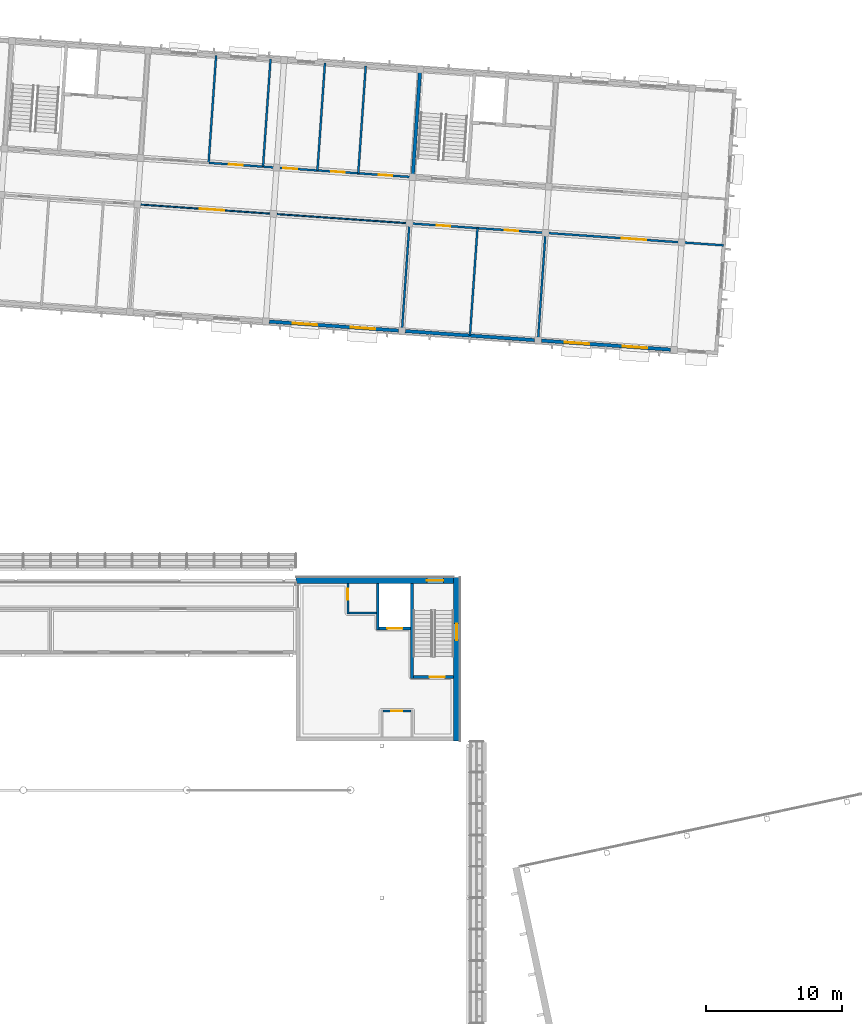
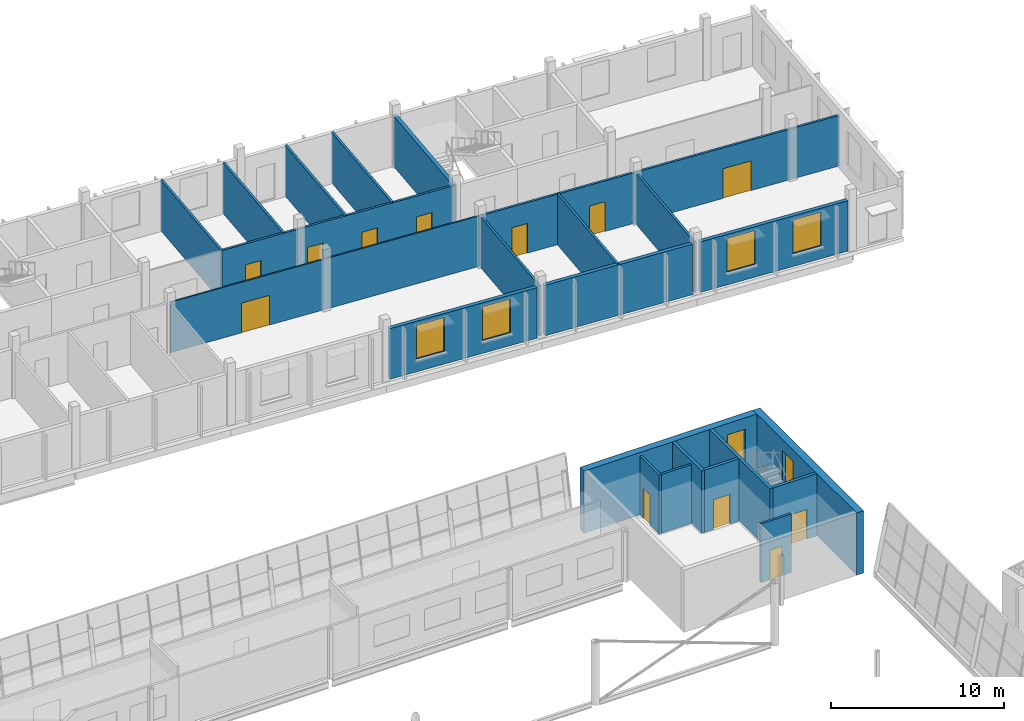
# One storey, part 57 of 95: 23 walls, 12 doors, 6 windows, 18 openings.
"""IFC4 building model written with IfcOpenShell, lengths in metres."""

import ifcopenshell
import ifcopenshell.guid

model = None  # the IFC model being written
_history = None  # IfcOwnerHistory: only IFC2X3 demands one
_inside = {}  # id of a spatial element -> (the spatial element, [elements in it])
_under = {}  # id of a project, library or spatial element -> (it, [spatial elements below it])
_declared = {}  # id of a project -> (the project, [libraries it declares])
_typed = {}  # id of a type object -> (the type object, [elements of that type])
_made_of = {}  # id of a material, layer set ... -> (it, [elements and type objects made of it])


def new_model(schema):
    """Start an empty IFC model of exactly this schema.

    Asked for "IFC4X3", IfcOpenShell would pick the latest addendum, in which some entities
    have other attributes; the version numbers below select the first issue.
    IFC2X3 requires an IfcOwnerHistory on every rooted entity: one is made here for all.
    """
    global model, _history
    if schema == "IFC4X3":
        model = ifcopenshell.file(schema_version=(4, 3, 0, 0))
    else:
        model = ifcopenshell.file(schema=schema)
    _inside.clear()
    _under.clear()
    _declared.clear()
    _typed.clear()
    _made_of.clear()
    _history = None
    if model.schema == "IFC2X3":
        org = make("IfcOrganization", Name="unknown")
        user = make(
            "IfcPersonAndOrganization",
            ThePerson=make("IfcPerson", FamilyName="unknown"),
            TheOrganization=org,
        )
        app = make(
            "IfcApplication",
            ApplicationDeveloper=org,
            Version="unknown",
            ApplicationFullName="unknown",
            ApplicationIdentifier="unknown",
        )
        _history = make(
            "IfcOwnerHistory",
            OwningUser=user,
            OwningApplication=app,
            ChangeAction="ADDED",
            CreationDate=0,
        )
    return model


def make(cls, **values):
    """One entity of the class cls with the attributes given. An attribute that is None is left unset."""
    return model.create_entity(
        cls, **{name: value for name, value in values.items() if value is not None}
    )


def rooted(cls, **values):
    """An entity with a GlobalId (a new one), such as an element, a storey or a relation."""
    return make(cls, GlobalId=ifcopenshell.guid.new(), OwnerHistory=_history, **values)


def si_unit(unit_type, name, prefix=None):
    """IfcSIUnit, for example si_unit("LENGTHUNIT", "METRE", prefix="MILLI")."""
    return make("IfcSIUnit", UnitType=unit_type, Prefix=prefix, Name=name)


def assignment(units):
    """IfcUnitAssignment: the units of a project."""
    return None if units is None else make("IfcUnitAssignment", Units=units)


def point(xyz):
    """IfcCartesianPoint."""
    return None if xyz is None else make("IfcCartesianPoint", Coordinates=xyz)


def direction(xyz):
    """IfcDirection."""
    return None if xyz is None else make("IfcDirection", DirectionRatios=xyz)


def frame(location, z_axis=None, x_axis=None):
    """IfcAxis2Placement3D, a coordinate frame: its origin and axes. An axis left out is left unset."""
    return make(
        "IfcAxis2Placement3D",
        Location=point(location),
        Axis=direction(z_axis),
        RefDirection=direction(x_axis),
    )


def frame_2d(location, x_axis=None):
    """IfcAxis2Placement2D, a coordinate frame in the plane: its origin and x axis."""
    return make(
        "IfcAxis2Placement2D", Location=point(location), RefDirection=direction(x_axis)
    )


def origin():
    """The frame at (0, 0, 0) with its axes left unset."""
    return frame((0.0, 0.0, 0.0))


def place(relative_to, where):
    """IfcLocalPlacement: puts the frame where relative to a parent placement (None: the world)."""
    return make(
        "IfcLocalPlacement", PlacementRelTo=relative_to, RelativePlacement=where
    )


def context(
    kind, dimensions, precision=None, world=None, true_north=None, identifier=None
):
    """IfcGeometricRepresentationContext, for example the 3D "Model" context."""
    return make(
        "IfcGeometricRepresentationContext",
        ContextIdentifier=identifier,
        ContextType=kind,
        CoordinateSpaceDimension=dimensions,
        Precision=precision,
        WorldCoordinateSystem=world,
        TrueNorth=true_north,
    )


def subcontext(parent, identifier, kind, view, scale=None):
    """IfcGeometricRepresentationSubContext, for example "Body" below "Model"."""
    return make(
        "IfcGeometricRepresentationSubContext",
        ContextIdentifier=identifier,
        ContextType=kind,
        ParentContext=parent,
        TargetScale=scale,
        TargetView=view,
    )


def project(units=None, contexts=None):
    """IfcProject with its units and contexts."""
    return rooted(
        "IfcProject",
        Name="project",
        RepresentationContexts=contexts,
        UnitsInContext=assignment(units),
    )


def spatial(cls, under=None, at=None, **own):
    """A site, building, storey or space (cls), placed at a placement, below another one or the project."""
    s = rooted(cls, ObjectPlacement=at, **own)
    if under is not None:
        _under.setdefault(under.id(), (under, []))[1].append(s)
    return s


def profile(cls, at=None, kind="AREA", **sizes):
    """A parametric profile (cls). Its sizes go by their IFC names, for example OverallWidth=200.0."""
    return make(cls, ProfileType=kind, Position=at, **sizes)


def rectangle(**sizes):
    """IfcRectangleProfileDef."""
    return profile("IfcRectangleProfileDef", **sizes)


def extrude(swept, where, along, depth):
    """IfcExtrudedAreaSolid: the profile swept, set in the frame where, extruded along a direction by depth."""
    return make(
        "IfcExtrudedAreaSolid",
        SweptArea=swept,
        Position=where,
        ExtrudedDirection=direction(along),
        Depth=depth,
    )


def shape(context_of_items, identifier, shape_type, items):
    """IfcShapeRepresentation: the items that make up one representation, for example the "Body"."""
    return make(
        "IfcShapeRepresentation",
        ContextOfItems=context_of_items,
        RepresentationIdentifier=identifier,
        RepresentationType=shape_type,
        Items=items,
    )


def material(Name=None, Category=None):
    """IfcMaterial."""
    return make("IfcMaterial", Name=Name, Category=Category)


def layer(
    of_material, thickness, ventilated=None, Name=None, Category=None, Priority=None
):
    """IfcMaterialLayer: one layer of a wall or slab, of a material (None: an air gap)."""
    return make(
        "IfcMaterialLayer",
        Material=of_material,
        LayerThickness=thickness,
        IsVentilated=ventilated,
        Name=Name,
        Category=Category,
        Priority=Priority,
    )


def layer_set(layers, Name=None):
    """IfcMaterialLayerSet."""
    return make("IfcMaterialLayerSet", MaterialLayers=layers, LayerSetName=Name)


def made_of(thing, what):
    """Note that an element or type object is made of a material, layer set ...; save() writes the relation."""
    if what is not None:
        _made_of.setdefault(what.id(), (what, []))[1].append(thing)
    return thing


def type_object(cls, material=None, **own):
    """A type object (cls), such as IfcWallType, which elements share."""
    return made_of(rooted(cls, **own), material)


def element(
    cls,
    number,
    at=None,
    inside=None,
    cuts=None,
    type_object=None,
    material=None,
    context=None,
    identifier="Body",
    shape_type=None,
    held_by="IfcProductDefinitionShape",
    body=None,
    shapes=None,
    **own,
):
    """One element of the class cls, such as IfcWall. Its Tag is "e" and its number.

    at: its placement. inside: the storey or other place that contains it. cuts: it is an
    opening in that element (IfcRelVoidsElement). A single representation is given by context,
    identifier, shape_type and body (its items); several are given by shapes. held_by: the class
    of the entity that holds the representations. save() writes the other relations.
    """
    e = rooted(cls, Tag="e%d" % number, ObjectPlacement=at, **own)
    if body is not None:
        shapes = [shape(context, identifier, shape_type, body)]
    if shapes is not None:
        e.Representation = make(held_by, Representations=shapes)
    if inside is not None:
        _inside.setdefault(inside.id(), (inside, []))[1].append(e)
    if cuts is not None:
        rooted(
            "IfcRelVoidsElement", RelatingBuildingElement=cuts, RelatedOpeningElement=e
        )
    if type_object is not None:
        _typed.setdefault(type_object.id(), (type_object, []))[1].append(e)
    return made_of(e, material)


def fill(opening, filler):
    """IfcRelFillsElement: the door or window that sits in an opening."""
    return rooted(
        "IfcRelFillsElement",
        RelatingOpeningElement=opening,
        RelatedBuildingElement=filler,
    )


def aggregate(whole, parts):
    """IfcRelAggregates: a whole, such as a stair, and the parts it consists of."""
    return rooted("IfcRelAggregates", RelatingObject=whole, RelatedObjects=parts)


def save(model, path):
    """Write the relations noted so far, then the file.

    IfcRelAggregates (storeys below a building ...), IfcRelContainedInSpatialStructure (elements
    in a storey), IfcRelDefinesByType, IfcRelAssociatesMaterial and IfcRelDeclares: one each for
    every whole, place, type object, material and project.
    """
    for whole, parts in _under.values():
        aggregate(whole, parts)
    for where, things in _inside.values():
        rooted(
            "IfcRelContainedInSpatialStructure",
            RelatedElements=things,
            RelatingStructure=where,
        )
    for kind, things in _typed.values():
        rooted("IfcRelDefinesByType", RelatedObjects=things, RelatingType=kind)
    for what, things in _made_of.values():
        rooted("IfcRelAssociatesMaterial", RelatedObjects=things, RelatingMaterial=what)
    for by, libraries in _declared.values():
        rooted("IfcRelDeclares", RelatingContext=by, RelatedDefinitions=libraries)
    model.write(path)


model = new_model("IFC4")

# Units and contexts
model_context = context("Model", 3, precision=1e-05, world=origin(), true_north=direction((0.0, 1.0)))
body_context = subcontext(model_context, "Body", "Model", "MODEL_VIEW")
ifc_project = project(units=[si_unit("LENGTHUNIT", "METRE"), si_unit("AREAUNIT", "SQUARE_METRE"), si_unit("VOLUMEUNIT", "CUBIC_METRE"), si_unit("PLANEANGLEUNIT", "RADIAN"), si_unit("MASSUNIT", "GRAM", prefix="KILO")], contexts=[model_context])

# Site, building, storey
site_placement = place(None, origin())
site = spatial("IfcSite", under=ifc_project, at=site_placement, CompositionType="ELEMENT")
building_placement = place(site_placement, origin())
building = spatial("IfcBuilding", under=site, at=building_placement, Name="Windward Yard Aquatics Centre", CompositionType="ELEMENT")
storey_placement = place(building_placement, frame((0.0, 0.0, 9.39990234375)))
storey = spatial("IfcBuildingStorey", under=building, at=storey_placement, Name="L02", CompositionType="ELEMENT", Elevation=9.39990234375)

# Wall
ifc_material_1 = material(Name="Concrete C35/45", Category="concrete")
ifc_layer_1 = layer(ifc_material_1, 0.199951171875)
ifc_layer_set_1 = layer_set([ifc_layer_1], Name="H Enclosure Wall Concrete C35/45 200")
wall_type_1 = type_object("IfcWallType", Name="H Enclosure Wall Concrete C35/45 200", PredefinedType="SOLIDWALL", material=ifc_layer_set_1)
wall_1_placement = place(storey_placement, frame((148.5, 95.550048828125, 0.0), z_axis=(0.0, 0.0, 1.0), x_axis=(0.0, -1.0, 0.0)))
element("IfcWall", 1, at=wall_1_placement, inside=storey, type_object=wall_type_1, Name="L02 W1 enclosure wall NE", PredefinedType="SOLIDWALL", context=body_context, shape_type="SweptSolid", body=[
    extrude(rectangle(XDim=6.949951171875, YDim=0.199951171875, at=frame_2d((3.47509765625, 0.0))), origin(), (0.0, 0.0, 1.0), 4.400146484375),
])

# Wall, opening, door
wall_2_placement = place(storey_placement, frame((151.550048828125, 88.699951171875, 0.0), z_axis=(0.0, 0.0, 1.0), x_axis=(-1.0, 0.0, 0.0)))
wall_2 = element("IfcWall", 2, at=wall_2_placement, inside=storey, type_object=wall_type_1, Name="L02 W2 enclosure wall NE", PredefinedType="SOLIDWALL", context=body_context, shape_type="SweptSolid", body=[
    extrude(rectangle(XDim=2.949951171875, YDim=0.199951171875, at=frame_2d((1.47509765625, 0.0))), origin(), (0.0, 0.0, 1.0), 4.400146484375),
])
opening_1_placement = place(wall_2_placement, frame((0.64990234375, 0.0, 0.0)))
opening_1 = element("IfcOpeningElement", 3, at=opening_1_placement, cuts=wall_2, Name="Opening H2016", PredefinedType="OPENING", context=body_context, shape_type="SweptSolid", body=[
    extrude(rectangle(XDim=1.10009765625, YDim=2.10009765625, at=frame_2d((0.550048828125, 1.050048828125))), frame((0.0, 0.10986328125, 0.0), z_axis=(0.0, -1.0, 0.0), x_axis=(1.0, 0.0, 0.0)), (0.0, 0.0, 1.0), 0.219970703125),
])
ifc_material_2 = material(Name="Steel and timber door leaf", Category="steel")
door_type_1 = type_object("IfcDoorType", Name="H Door Single 1100 x 2100 FD60", OperationType="NOTDEFINED", PredefinedType="DOOR", material=ifc_material_2)
door_1_placement = place(opening_1_placement, origin())
door_1 = element("IfcDoor", 4, at=door_1_placement, inside=storey, type_object=door_type_1, Name="L02 stair NE door", OperationType="SINGLE_SWING_LEFT", OverallHeight=2.10009765625, OverallWidth=1.10009765625, PredefinedType="DOOR", context=body_context, shape_type="SweptSolid", body=[
    extrude(rectangle(XDim=1.10009765625, YDim=2.10009765625, at=frame_2d((0.550048828125, 1.050048828125))), frame((0.0, 0.02490234375, 0.0), z_axis=(0.0, -1.0, 0.0), x_axis=(1.0, 0.0, 0.0)), (0.0, 0.0, 1.0), 0.050048828125),
])
fill(opening_1, door_1)

# Wall
wall_3_placement = place(storey_placement, frame((146.0, 95.550048828125, 0.0), z_axis=(0.0, 0.0, 1.0), x_axis=(0.0, -1.0, 0.0)))
element("IfcWall", 5, at=wall_3_placement, inside=storey, type_object=wall_type_1, Name="L02 W3 enclosure wall NE", PredefinedType="SOLIDWALL", context=body_context, shape_type="SweptSolid", body=[
    extrude(rectangle(XDim=3.400146484375, YDim=0.199951171875, at=frame_2d((1.7001953125, 0.0))), origin(), (0.0, 0.0, 1.0), 4.400146484375),
])

# Wall, opening, door
wall_4_placement = place(storey_placement, frame((148.39990234375, 92.25, 0.0), z_axis=(0.0, 0.0, 1.0), x_axis=(-1.0, 0.0, 0.0)))
wall_4 = element("IfcWall", 6, at=wall_4_placement, inside=storey, type_object=wall_type_1, Name="L02 W4 enclosure wall NE", PredefinedType="SOLIDWALL", context=body_context, shape_type="SweptSolid", body=[
    extrude(rectangle(XDim=2.2998046875, YDim=0.199951171875, at=frame_2d((1.14990234375, 0.0))), origin(), (0.0, 0.0, 1.0), 4.400146484375),
])
opening_2_placement = place(wall_4_placement, frame((0.60009765625, 0.0, 0.0)))
opening_2 = element("IfcOpeningElement", 7, at=opening_2_placement, cuts=wall_4, Name="Opening H2017", PredefinedType="OPENING", context=body_context, shape_type="SweptSolid", body=[
    extrude(rectangle(XDim=1.10009765625, YDim=2.10009765625, at=frame_2d((0.550048828125, 1.050048828125))), frame((0.0, 0.10986328125, 0.0), z_axis=(0.0, -1.0, 0.0), x_axis=(1.0, 0.0, 0.0)), (0.0, 0.0, 1.0), 0.219970703125),
])
ifc_material_3 = material(Name="Stainless steel 1.4301", Category="steel")
door_type_2 = type_object("IfcDoorType", Name="H Lift Landing Door 1100 x 2100", OperationType="DOUBLE_DOOR_SLIDING", PredefinedType="DOOR", material=ifc_material_3)
door_2_placement = place(opening_2_placement, origin())
door_2 = element("IfcDoor", 8, at=door_2_placement, inside=storey, type_object=door_type_2, Name="Lift NE landing door L02", OperationType="DOUBLE_DOOR_SLIDING", OverallHeight=2.10009765625, OverallWidth=1.10009765625, PredefinedType="DOOR", context=body_context, shape_type="SweptSolid", body=[
    extrude(rectangle(XDim=1.10009765625, YDim=2.10009765625, at=frame_2d((0.550048828125, 1.050048828125))), frame((0.0, 0.02490234375, 0.0), z_axis=(0.0, -1.0, 0.0), x_axis=(1.0, 0.0, 0.0)), (0.0, 0.0, 1.0), 0.050048828125),
])
fill(opening_2, door_2)

# Wall
ifc_material_4 = material(Name="Blockwork 150 mm", Category="masonry")
ifc_layer_2 = layer(ifc_material_4, 0.14990234375)
ifc_layer_set_2 = layer_set([ifc_layer_2], Name="H Partition Blockwork 150")
wall_type_2 = type_object("IfcWallType", Name="H Partition Blockwork 150", PredefinedType="PARTITIONING", material=ifc_layer_set_2)
wall_5_placement = place(storey_placement, frame((145.89990234375, 93.39990234375, 0.0), z_axis=(0.0, 0.0, 1.0), x_axis=(-1.0, 0.0, 0.0)))
element("IfcWall", 9, at=wall_5_placement, inside=storey, type_object=wall_type_2, Name="L02 R1N riser wall NE", PredefinedType="PARTITIONING", context=body_context, shape_type="SweptSolid", body=[
    extrude(rectangle(XDim=2.02490234375, YDim=0.14990234375, at=frame_2d((1.012451171875, 0.0))), origin(), (0.0, 0.0, 1.0), 4.150146484375),
])

# Wall, opening, door
wall_6_placement = place(storey_placement, frame((143.800048828125, 95.550048828125, 0.0), z_axis=(0.0, 0.0, 1.0), x_axis=(0.0, -1.0, 0.0)))
wall_6 = element("IfcWall", 10, at=wall_6_placement, inside=storey, type_object=wall_type_2, Name="L02 R1E riser wall NE", PredefinedType="PARTITIONING", context=body_context, shape_type="SweptSolid", body=[
    extrude(rectangle(XDim=2.22509765625, YDim=0.14990234375, at=frame_2d((1.112548828125, 0.0))), origin(), (0.0, 0.0, 1.0), 4.150146484375),
])
opening_3_placement = place(wall_6_placement, frame((0.39990234375, 0.0, 0.0)))
opening_3 = element("IfcOpeningElement", 11, at=opening_3_placement, cuts=wall_6, Name="Opening H2018", PredefinedType="OPENING", context=body_context, shape_type="SweptSolid", body=[
    extrude(rectangle(XDim=0.800048828125, YDim=2.10009765625, at=frame_2d((0.39990234375, 1.050048828125))), frame((0.0, 0.0849609375, 0.0), z_axis=(0.0, -1.0, 0.0), x_axis=(1.0, 0.0, 0.0)), (0.0, 0.0, 1.0), 0.169921875),
])
door_type_3 = type_object("IfcDoorType", Name="H Door Riser 800 x 2100 FD60", OperationType="NOTDEFINED", PredefinedType="DOOR", material=ifc_material_2)
door_3_placement = place(opening_3_placement, origin())
door_3 = element("IfcDoor", 12, at=door_3_placement, inside=storey, type_object=door_type_3, Name="L02 electrical riser NE door", OperationType="SINGLE_SWING_RIGHT", OverallHeight=2.10009765625, OverallWidth=0.800048828125, PredefinedType="DOOR", context=body_context, shape_type="SweptSolid", body=[
    extrude(rectangle(XDim=0.800048828125, YDim=2.10009765625, at=frame_2d((0.39990234375, 1.050048828125))), frame((0.0, 0.02490234375, 0.0), z_axis=(0.0, -1.0, 0.0), x_axis=(1.0, 0.0, 0.0)), (0.0, 0.0, 1.0), 0.050048828125),
])
fill(opening_3, door_3)

wall_7_placement = place(storey_placement, frame((148.425048828125, 86.199951171875, 0.0), z_axis=(0.0, 0.0, 1.0), x_axis=(-1.0, 0.0, 0.0)))
wall_7 = element("IfcWall", 13, at=wall_7_placement, inside=storey, type_object=wall_type_2, Name="L02 R2S riser wall NE", PredefinedType="PARTITIONING", context=body_context, shape_type="SweptSolid", body=[
    extrude(rectangle(XDim=2.050048828125, YDim=0.14990234375, at=frame_2d((1.02490234375, 0.0))), origin(), (0.0, 0.0, 1.0), 4.150146484375),
])
opening_4_placement = place(wall_7_placement, frame((0.625, 0.0, 0.0)))
opening_4 = element("IfcOpeningElement", 14, at=opening_4_placement, cuts=wall_7, Name="Opening H2019", PredefinedType="OPENING", context=body_context, shape_type="SweptSolid", body=[
    extrude(rectangle(XDim=0.800048828125, YDim=2.10009765625, at=frame_2d((0.39990234375, 1.050048828125))), frame((0.0, 0.0849609375, 0.0), z_axis=(0.0, -1.0, 0.0), x_axis=(1.0, 0.0, 0.0)), (0.0, 0.0, 1.0), 0.169921875),
])
door_4_placement = place(opening_4_placement, origin())
door_4 = element("IfcDoor", 15, at=door_4_placement, inside=storey, type_object=door_type_3, Name="L02 communications riser NE door", OperationType="SINGLE_SWING_LEFT", OverallHeight=2.10009765625, OverallWidth=0.800048828125, PredefinedType="DOOR", context=body_context, shape_type="SweptSolid", body=[
    extrude(rectangle(XDim=0.800048828125, YDim=2.10009765625, at=frame_2d((0.39990234375, 1.050048828125))), frame((0.0, 0.02490234375, 0.0), z_axis=(0.0, -1.0, 0.0), x_axis=(1.0, 0.0, 0.0)), (0.0, 0.0, 1.0), 0.050048828125),
])
fill(opening_4, door_4)

# Wall, opening, window
ifc_material_5 = material(Name="Natural stone cladding", Category="masonry")
ifc_layer_3 = layer(ifc_material_5, 0.04, Name="Cladding")
ifc_material_6 = material(Name="Ventilated air cavity")
ifc_layer_4 = layer(ifc_material_6, 0.05, ventilated=True, Name="Ventilated cavity")
ifc_material_7 = material(Name="Mineral wool insulation")
ifc_layer_5 = layer(ifc_material_7, 0.08, Name="Insulation")
ifc_layer_6 = layer(ifc_material_1, 0.28, Name="Structure")
ifc_layer_set_3 = layer_set([ifc_layer_3, ifc_layer_4, ifc_layer_5, ifc_layer_6], Name="H plinth wall stone faced 450 C35/45")
wall_type_3 = type_object("IfcWallType", Name="H plinth wall stone faced 450 C35/45", PredefinedType="ELEMENTEDWALL", material=ifc_layer_set_3)
wall_8_placement = place(storey_placement, frame((151.77490234375, 96.0, 0.0), z_axis=(0.0, 0.0, 1.0), x_axis=(0.0, -1.0, 0.0)))
wall_8 = element("IfcWall", 16, at=wall_8_placement, inside=storey, type_object=wall_type_3, Name="H.CW.NE.E.L02", PredefinedType="ELEMENTEDWALL", context=body_context, shape_type="SweptSolid", body=[
    extrude(rectangle(XDim=12.0, YDim=0.449951171875, at=frame_2d((6.0, 0.0))), origin(), (0.0, 0.0, 1.0), 4.400146484375),
])
opening_5_placement = place(wall_8_placement, frame((3.39990234375, 0.0, 0.60009765625)))
opening_5 = element("IfcOpeningElement", 17, at=opening_5_placement, cuts=wall_8, Name="Opening W2047", PredefinedType="OPENING", context=body_context, shape_type="SweptSolid", body=[
    extrude(rectangle(XDim=1.199951171875, YDim=3.0, at=frame_2d((0.60009765625, 1.5))), frame((0.0, 0.23486328125, 0.0), z_axis=(0.0, -1.0, 0.0), x_axis=(1.0, 0.0, 0.0)), (0.0, 0.0, 1.0), 0.469970703125),
])
ifc_material_8 = material(Name="Fire-resisting glazing in steel frame", Category="steel")
window_type_1 = type_object("IfcWindowType", Name="H Core Stair Window 1200 x 3000 EI 60", PartitioningType="SINGLE_PANEL", PredefinedType="WINDOW", material=ifc_material_8)
window_1_placement = place(opening_5_placement, origin())
window_1 = element("IfcWindow", 18, at=window_1_placement, inside=storey, type_object=window_type_1, Name="L02 core NE stair window", OverallHeight=3.0, OverallWidth=1.199951171875, PartitioningType="SINGLE_PANEL", PredefinedType="WINDOW", context=body_context, shape_type="SweptSolid", body=[
    extrude(rectangle(XDim=1.199951171875, YDim=3.0, at=frame_2d((0.60009765625, 1.5))), frame((0.0, 0.030029296875, 0.0), z_axis=(0.0, -1.0, 0.0), x_axis=(1.0, 0.0, 0.0)), (0.0, 0.0, 1.0), 0.06005859375),
])
fill(opening_5, window_1)

wall_9_placement = place(storey_placement, frame((151.550048828125, 95.77490234375, 0.0), z_axis=(0.0, 0.0, 1.0), x_axis=(-1.0, 0.0, 0.0)))
wall_9 = element("IfcWall", 19, at=wall_9_placement, inside=storey, type_object=wall_type_3, Name="H.CW.NE.N.L02", PredefinedType="ELEMENTEDWALL", context=body_context, shape_type="SweptSolid", body=[
    extrude(rectangle(XDim=11.550048828125, YDim=0.449951171875, at=frame_2d((5.77490234375, 0.0))), origin(), (0.0, 0.0, 1.0), 4.400146484375),
])
opening_6_placement = place(wall_9_placement, frame((0.75, 0.0, 0.60009765625)))
opening_6 = element("IfcOpeningElement", 20, at=opening_6_placement, cuts=wall_9, Name="Opening W2048", PredefinedType="OPENING", context=body_context, shape_type="SweptSolid", body=[
    extrude(rectangle(XDim=1.199951171875, YDim=3.0, at=frame_2d((0.60009765625, 1.5))), frame((0.0, 0.23486328125, 0.0), z_axis=(0.0, -1.0, 0.0), x_axis=(1.0, 0.0, 0.0)), (0.0, 0.0, 1.0), 0.469970703125),
])
window_2_placement = place(opening_6_placement, origin())
window_2 = element("IfcWindow", 21, at=window_2_placement, inside=storey, type_object=window_type_1, Name="L02 core NE stair window", OverallHeight=3.0, OverallWidth=1.199951171875, PartitioningType="SINGLE_PANEL", PredefinedType="WINDOW", context=body_context, shape_type="SweptSolid", body=[
    extrude(rectangle(XDim=1.199951171875, YDim=3.0, at=frame_2d((0.60009765625, 1.5))), frame((0.0, 0.030029296875, 0.0), z_axis=(0.0, -1.0, 0.0), x_axis=(1.0, 0.0, 0.0)), (0.0, 0.0, 1.0), 0.06005859375),
])
fill(opening_6, window_2)

# Wall
ifc_material_9 = material(Name="Concrete C40/50", Category="concrete")
ifc_layer_7 = layer(ifc_material_9, 0.25)
ifc_layer_set_4 = layer_set([ifc_layer_7], Name="W RC core wall 250 Concrete C40/50")
wall_type_4 = type_object("IfcWallType", Name="W RC core wall 250 Concrete C40/50", PredefinedType="SOLIDWALL", material=ifc_layer_set_4)
wall_10_placement = place(storey_placement, frame((148.553955078125, 125.347412109375, 0.0), z_axis=(0.0, 0.0, 1.0), x_axis=(0.069751320509, 0.997564410596, 0.0)))
element("IfcWall", 22, at=wall_10_placement, inside=storey, type_object=wall_type_4, Name="W.WL.L02.014", PredefinedType="SOLIDWALL", context=body_context, shape_type="SweptSolid", body=[
    extrude(rectangle(XDim=7.89990234375, YDim=0.25, at=frame_2d((3.949951171875, 0.0))), origin(), (0.0, 0.0, 1.0), 3.570068359375),
])

# Wall, openings, windows
ifc_layer_8 = layer(ifc_material_9, 0.25)
ifc_layer_set_5 = layer_set([ifc_layer_8], Name="W facade wall 250 Precast Concrete C40/50")
wall_type_5 = type_object("IfcWallType", Name="W facade wall 250 Precast Concrete C40/50", PredefinedType="SOLIDWALL", material=ifc_layer_set_5)
wall_11_placement = place(storey_placement, frame((138.03955078125, 114.7548828125, 0.0), z_axis=(0.0, 0.0, 1.0), x_axis=(0.997564674448, -0.06974754686, 0.0)))
wall_11 = element("IfcWall", 23, at=wall_11_placement, inside=storey, type_object=wall_type_5, Name="W.FW.L02.S.66.8", PredefinedType="SOLIDWALL", context=body_context, shape_type="SweptSolid", body=[
    extrude(rectangle(XDim=9.5, YDim=0.25, at=frame_2d((4.75, 0.0))), origin(), (0.0, 0.0, 1.0), 3.570068359375),
])
opening_7_placement = place(wall_11_placement, frame((1.72509765625, 0.0, 0.89990234375)))
opening_7 = element("IfcOpeningElement", 24, at=opening_7_placement, cuts=wall_11, Name="Opening W2503", PredefinedType="OPENING", context=body_context, shape_type="SweptSolid", body=[
    extrude(rectangle(XDim=1.800048828125, YDim=2.39990234375, at=frame_2d((0.89990234375, 1.199951171875))), frame((0.0, 0.135009765625, 0.0), z_axis=(0.0, -1.0, 0.0), x_axis=(1.0, 0.0, 0.0)), (0.0, 0.0, 1.0), 0.27001953125),
])
opening_8_placement = place(wall_11_placement, frame((5.97509765625, 0.0, 0.89990234375)))
opening_8 = element("IfcOpeningElement", 25, at=opening_8_placement, cuts=wall_11, Name="Opening W2504", PredefinedType="OPENING", context=body_context, shape_type="SweptSolid", body=[
    extrude(rectangle(XDim=1.800048828125, YDim=2.39990234375, at=frame_2d((0.89990234375, 1.199951171875))), frame((0.0, 0.135009765625, 0.0), z_axis=(0.0, -1.0, 0.0), x_axis=(1.0, 0.0, 0.0)), (0.0, 0.0, 1.0), 0.27001953125),
])
ifc_material_10 = material(Name="Aluminium framed glazing", Category="aluminium")
window_type_2 = type_object("IfcWindowType", Name="W window 1800x2400", PartitioningType="SINGLE_PANEL", PredefinedType="WINDOW", material=ifc_material_10)
window_3_placement = place(opening_7_placement, origin())
window_3 = element("IfcWindow", 26, at=window_3_placement, inside=storey, type_object=window_type_2, Name="W.WN.L02.W2503", OverallHeight=2.39990234375, OverallWidth=1.800048828125, PartitioningType="SINGLE_PANEL", PredefinedType="WINDOW", context=body_context, shape_type="SweptSolid", body=[
    extrude(rectangle(XDim=1.800048828125, YDim=2.39990234375, at=frame_2d((0.89990234375, 1.199951171875))), frame((0.0, 0.030029296875, 0.0), z_axis=(0.0, -1.0, 0.0), x_axis=(1.0, 0.0, 0.0)), (0.0, 0.0, 1.0), 0.06005859375),
])
fill(opening_7, window_3)
window_4_placement = place(opening_8_placement, origin())
window_4 = element("IfcWindow", 27, at=window_4_placement, inside=storey, type_object=window_type_2, Name="W.WN.L02.W2504", OverallHeight=2.39990234375, OverallWidth=1.800048828125, PartitioningType="SINGLE_PANEL", PredefinedType="WINDOW", context=body_context, shape_type="SweptSolid", body=[
    extrude(rectangle(XDim=1.800048828125, YDim=2.39990234375, at=frame_2d((0.89990234375, 1.199951171875))), frame((0.0, 0.030029296875, 0.0), z_axis=(0.0, -1.0, 0.0), x_axis=(1.0, 0.0, 0.0)), (0.0, 0.0, 1.0), 0.06005859375),
])
fill(opening_8, window_4)

# Wall
wall_12_placement = place(storey_placement, frame((148.01513671875, 114.057373046875, 0.0), z_axis=(0.0, 0.0, 1.0), x_axis=(0.997564674448, -0.06974754686, 0.0)))
element("IfcWall", 28, at=wall_12_placement, inside=storey, type_object=wall_type_5, Name="W.FW.L02.S.76.8", PredefinedType="SOLIDWALL", context=body_context, shape_type="SweptSolid", body=[
    extrude(rectangle(XDim=9.5, YDim=0.25, at=frame_2d((4.75, 0.0))), origin(), (0.0, 0.0, 1.0), 3.570068359375),
])

# Wall, openings, windows
wall_13_placement = place(storey_placement, frame((157.99072265625, 113.35986328125, 0.0), z_axis=(0.0, 0.0, 1.0), x_axis=(0.997563011141, -0.069771332249, 0.0)))
wall_13 = element("IfcWall", 29, at=wall_13_placement, inside=storey, type_object=wall_type_5, Name="W.FW.L02.S.86.8", PredefinedType="SOLIDWALL", context=body_context, shape_type="SweptSolid", body=[
    extrude(rectangle(XDim=9.500244140625, YDim=0.25, at=frame_2d((4.75, 0.0))), origin(), (0.0, 0.0, 1.0), 3.570068359375),
])
opening_9_placement = place(wall_13_placement, frame((1.72509765625, 0.0, 0.89990234375)))
opening_9 = element("IfcOpeningElement", 30, at=opening_9_placement, cuts=wall_13, Name="Opening W2505", PredefinedType="OPENING", context=body_context, shape_type="SweptSolid", body=[
    extrude(rectangle(XDim=1.800048828125, YDim=2.39990234375, at=frame_2d((0.89990234375, 1.199951171875))), frame((0.0, 0.135009765625, 0.0), z_axis=(0.0, -1.0, 0.0), x_axis=(1.0, 0.0, 0.0)), (0.0, 0.0, 1.0), 0.27001953125),
])
opening_10_placement = place(wall_13_placement, frame((5.97509765625, 0.0, 0.89990234375)))
opening_10 = element("IfcOpeningElement", 31, at=opening_10_placement, cuts=wall_13, Name="Opening W2506", PredefinedType="OPENING", context=body_context, shape_type="SweptSolid", body=[
    extrude(rectangle(XDim=1.800048828125, YDim=2.39990234375, at=frame_2d((0.89990234375, 1.199951171875))), frame((0.0, 0.135009765625, 0.0), z_axis=(0.0, -1.0, 0.0), x_axis=(1.0, 0.0, 0.0)), (0.0, 0.0, 1.0), 0.27001953125),
])
window_5_placement = place(opening_9_placement, origin())
window_5 = element("IfcWindow", 32, at=window_5_placement, inside=storey, type_object=window_type_2, Name="W.WN.L02.W2505", OverallHeight=2.39990234375, OverallWidth=1.800048828125, PartitioningType="SINGLE_PANEL", PredefinedType="WINDOW", context=body_context, shape_type="SweptSolid", body=[
    extrude(rectangle(XDim=1.800048828125, YDim=2.39990234375, at=frame_2d((0.89990234375, 1.199951171875))), frame((0.0, 0.030029296875, 0.0), z_axis=(0.0, -1.0, 0.0), x_axis=(1.0, 0.0, 0.0)), (0.0, 0.0, 1.0), 0.06005859375),
])
fill(opening_9, window_5)
window_6_placement = place(opening_10_placement, origin())
window_6 = element("IfcWindow", 33, at=window_6_placement, inside=storey, type_object=window_type_2, Name="W.WN.L02.W2506", OverallHeight=2.39990234375, OverallWidth=1.800048828125, PartitioningType="SINGLE_PANEL", PredefinedType="WINDOW", context=body_context, shape_type="SweptSolid", body=[
    extrude(rectangle(XDim=1.800048828125, YDim=2.39990234375, at=frame_2d((0.89990234375, 1.199951171875))), frame((0.0, 0.030029296875, 0.0), z_axis=(0.0, -1.0, 0.0), x_axis=(1.0, 0.0, 0.0)), (0.0, 0.0, 1.0), 0.06005859375),
])
fill(opening_10, window_6)

# Wall, opening, door
ifc_material_11 = material(Name="Plasterboard on steel stud partition", Category="steel")
ifc_layer_9 = layer(ifc_material_11, 0.10009765625)
ifc_layer_set_6 = layer_set([ifc_layer_9], Name="W partition 100")
wall_type_6 = type_object("IfcWallType", Name="W partition 100", PredefinedType="PARTITIONING", material=ifc_layer_set_6)
wall_14_placement = place(storey_placement, frame((128.365478515625, 123.3505859375, 0.0), z_axis=(0.0, 0.0, 1.0), x_axis=(0.997564465617, -0.069750533603, 0.0)))
wall_14 = element("IfcWall", 34, at=wall_14_placement, inside=storey, type_object=wall_type_6, Name="W.WL.L02.022", PredefinedType="PARTITIONING", context=body_context, shape_type="SweptSolid", body=[
    extrude(rectangle(XDim=20.000244140625, YDim=0.10009765625, at=frame_2d((10.0, 0.0))), origin(), (0.0, 0.0, 1.0), 3.570068359375),
])
opening_11_placement = place(wall_14_placement, frame((4.60009765625, 0.0, 0.0)))
opening_11 = element("IfcOpeningElement", 35, at=opening_11_placement, cuts=wall_14, Name="Opening W2006", PredefinedType="OPENING", context=body_context, shape_type="SweptSolid", body=[
    extrude(rectangle(XDim=1.800048828125, YDim=2.10009765625, at=frame_2d((0.89990234375, 1.050048828125))), frame((0.0, 0.06005859375, 0.0), z_axis=(0.0, -1.0, 0.0), x_axis=(1.0, 0.0, 0.0)), (0.0, 0.0, 1.0), 0.1201171875),
])
ifc_material_12 = material(Name="Timber door leaf", Category="wood")
door_type_4 = type_object("IfcDoorType", Name="W double door 1800x2100", OperationType="DOUBLE_DOOR_SINGLE_SWING", PredefinedType="DOOR", material=ifc_material_12)
door_5_placement = place(opening_11_placement, origin())
door_5 = element("IfcDoor", 36, at=door_5_placement, inside=storey, type_object=door_type_4, Name="W.DRI.L02.006", OperationType="DOUBLE_DOOR_SINGLE_SWING", OverallHeight=2.10009765625, OverallWidth=1.800048828125, PredefinedType="DOOR", context=body_context, shape_type="SweptSolid", body=[
    extrude(rectangle(XDim=1.800048828125, YDim=2.10009765625, at=frame_2d((0.89990234375, 1.050048828125))), frame((0.0, 0.02490234375, 0.0), z_axis=(0.0, -1.0, 0.0), x_axis=(1.0, 0.0, 0.0)), (0.0, 0.0, 1.0), 0.050048828125),
])
fill(opening_11, door_5)

# Walls
ifc_material_13 = material(Name="Blockwork partition with tiled finish", Category="masonry")
ifc_layer_10 = layer(ifc_material_13, 0.14990234375)
ifc_layer_set_7 = layer_set([ifc_layer_10], Name="W partition 150 wet area")
wall_type_7 = type_object("IfcWallType", Name="W partition 150 wet area", PredefinedType="PARTITIONING", material=ifc_layer_set_7)
wall_15_placement = place(storey_placement, frame((133.590576171875, 126.393798828125, 0.0), z_axis=(0.0, 0.0, 1.0), x_axis=(0.069751320509, 0.997564410596, 0.0)))
element("IfcWall", 37, at=wall_15_placement, inside=storey, type_object=wall_type_7, Name="W.WL.L02.009", PredefinedType="PARTITIONING", context=body_context, shape_type="SweptSolid", body=[
    extrude(rectangle(XDim=7.89990234375, YDim=0.14990234375, at=frame_2d((3.949951171875, 0.0))), origin(), (0.0, 0.0, 1.0), 3.570068359375),
])
wall_16_placement = place(storey_placement, frame((137.580810546875, 126.114501953125, 0.0), z_axis=(0.0, 0.0, 1.0), x_axis=(0.0697491702, 0.997564560947, 0.0)))
element("IfcWall", 38, at=wall_16_placement, inside=storey, type_object=wall_type_7, Name="W.WL.L02.010", PredefinedType="PARTITIONING", context=body_context, shape_type="SweptSolid", body=[
    extrude(rectangle(XDim=7.900146484375, YDim=0.14990234375, at=frame_2d((3.9501953125, 0.0))), origin(), (0.0, 0.0, 1.0), 3.570068359375),
])
wall_17_placement = place(storey_placement, frame((141.571044921875, 125.835693359375, 0.0), z_axis=(0.0, 0.0, 1.0), x_axis=(0.069782074492, 0.997562259751, 0.0)))
element("IfcWall", 39, at=wall_17_placement, inside=storey, type_object=wall_type_7, Name="W.WL.L02.011", PredefinedType="PARTITIONING", context=body_context, shape_type="SweptSolid", body=[
    extrude(rectangle(XDim=7.89990234375, YDim=0.14990234375, at=frame_2d((3.949951171875, 0.0))), origin(), (0.0, 0.0, 1.0), 3.570068359375),
])
for number, where, z_axis, x_axis, name in (
    (40, (144.563720703125, 125.626220703125, 0.0), (0.0, 0.0, 1.0), (0.069779923244, 0.997562410234, 0.0), "W.WL.L02.012"),
    (41, (147.765869140625, 114.07470703125, 0.0), (0.0, 0.0, 1.0), (0.0697491702, 0.997564560947, 0.0), "W.WL.L02.013"),
):
    element("IfcWall", number, at=place(storey_placement, frame(where, z_axis=z_axis, x_axis=x_axis)), inside=storey, type_object=wall_type_7, Name=name, PredefinedType="PARTITIONING", context=body_context, shape_type="SweptSolid", body=[
        extrude(rectangle(XDim=7.900146484375, YDim=0.14990234375, at=frame_2d((3.9501953125, 0.0))), origin(), (0.0, 0.0, 1.0), 3.570068359375),
    ])
wall_18_placement = place(storey_placement, frame((152.753662109375, 113.72607421875, 0.0), z_axis=(0.0, 0.0, 1.0), x_axis=(0.069751320509, 0.997564410596, 0.0)))
element("IfcWall", 42, at=wall_18_placement, inside=storey, type_object=wall_type_7, Name="W.WL.L02.016", PredefinedType="PARTITIONING", context=body_context, shape_type="SweptSolid", body=[
    extrude(rectangle(XDim=7.89990234375, YDim=0.14990234375, at=frame_2d((3.949951171875, 0.0))), origin(), (0.0, 0.0, 1.0), 3.570068359375),
])
wall_19_placement = place(storey_placement, frame((157.741455078125, 113.377197265625, 0.0), z_axis=(0.0, 0.0, 1.0), x_axis=(0.0697491702, 0.997564560947, 0.0)))
element("IfcWall", 43, at=wall_19_placement, inside=storey, type_object=wall_type_7, Name="W.WL.L02.018", PredefinedType="PARTITIONING", context=body_context, shape_type="SweptSolid", body=[
    extrude(rectangle(XDim=7.900146484375, YDim=0.14990234375, at=frame_2d((3.9501953125, 0.0))), origin(), (0.0, 0.0, 1.0), 3.570068359375),
])

# Wall, openings, doors
wall_20_placement = place(storey_placement, frame((148.31689453125, 121.95556640625, 0.0), z_axis=(0.0, 0.0, 1.0), x_axis=(0.997564184109, -0.06975455958, 0.0)))
wall_20 = element("IfcWall", 44, at=wall_20_placement, inside=storey, type_object=wall_type_7, Name="W.WL.L02.023", PredefinedType="PARTITIONING", context=body_context, shape_type="SweptSolid", body=[
    extrude(rectangle(XDim=23.099853515625, YDim=0.14990234375, at=frame_2d((11.5498046875, 0.0))), origin(), (0.0, 0.0, 1.0), 3.570068359375),
])
opening_12_placement = place(wall_20_placement, frame((2.0, 0.0, 0.0)))
opening_12 = element("IfcOpeningElement", 45, at=opening_12_placement, cuts=wall_20, Name="Opening W2012", PredefinedType="OPENING", context=body_context, shape_type="SweptSolid", body=[
    extrude(rectangle(XDim=1.0, YDim=2.10009765625, at=frame_2d((0.5, 1.050048828125))), frame((0.0, 0.0849609375, 0.0), z_axis=(0.0, -1.0, 0.0), x_axis=(1.0, 0.0, 0.0)), (0.0, 0.0, 1.0), 0.169921875),
])
opening_13_placement = place(wall_20_placement, frame((7.0, 0.0, 0.0)))
opening_13 = element("IfcOpeningElement", 46, at=opening_13_placement, cuts=wall_20, Name="Opening W2013", PredefinedType="OPENING", context=body_context, shape_type="SweptSolid", body=[
    extrude(rectangle(XDim=1.0, YDim=2.10009765625, at=frame_2d((0.5, 1.050048828125))), frame((0.0, 0.0849609375, 0.0), z_axis=(0.0, -1.0, 0.0), x_axis=(1.0, 0.0, 0.0)), (0.0, 0.0, 1.0), 0.169921875),
])
opening_14_placement = place(wall_20_placement, frame((15.60009765625, 0.0, 0.0)))
opening_14 = element("IfcOpeningElement", 47, at=opening_14_placement, cuts=wall_20, Name="Opening W2015", PredefinedType="OPENING", context=body_context, shape_type="SweptSolid", body=[
    extrude(rectangle(XDim=1.800048828125, YDim=2.10009765625, at=frame_2d((0.89990234375, 1.050048828125))), frame((0.0, 0.0849609375, 0.0), z_axis=(0.0, -1.0, 0.0), x_axis=(1.0, 0.0, 0.0)), (0.0, 0.0, 1.0), 0.169921875),
])
door_type_5 = type_object("IfcDoorType", Name="W door 1000x2100", OperationType="SINGLE_SWING_LEFT", PredefinedType="DOOR", material=ifc_material_12)
door_6_placement = place(opening_12_placement, origin())
door_6 = element("IfcDoor", 48, at=door_6_placement, inside=storey, type_object=door_type_5, Name="W.DRI.L02.012", OperationType="SINGLE_SWING_LEFT", OverallHeight=2.10009765625, OverallWidth=1.0, PredefinedType="DOOR", context=body_context, shape_type="SweptSolid", body=[
    extrude(rectangle(XDim=1.0, YDim=2.10009765625, at=frame_2d((0.5, 1.050048828125))), frame((0.0, 0.02490234375, 0.0), z_axis=(0.0, -1.0, 0.0), x_axis=(1.0, 0.0, 0.0)), (0.0, 0.0, 1.0), 0.050048828125),
])
fill(opening_12, door_6)
door_7_placement = place(opening_13_placement, origin())
door_7 = element("IfcDoor", 49, at=door_7_placement, inside=storey, type_object=door_type_5, Name="W.DRI.L02.013", OperationType="SINGLE_SWING_RIGHT", OverallHeight=2.10009765625, OverallWidth=1.0, PredefinedType="DOOR", context=body_context, shape_type="SweptSolid", body=[
    extrude(rectangle(XDim=1.0, YDim=2.10009765625, at=frame_2d((0.5, 1.050048828125))), frame((0.0, 0.02490234375, 0.0), z_axis=(0.0, -1.0, 0.0), x_axis=(1.0, 0.0, 0.0)), (0.0, 0.0, 1.0), 0.050048828125),
])
fill(opening_13, door_7)
door_8_placement = place(opening_14_placement, origin())
door_8 = element("IfcDoor", 50, at=door_8_placement, inside=storey, type_object=door_type_4, Name="W.DRI.L02.015", OperationType="DOUBLE_DOOR_SINGLE_SWING", OverallHeight=2.10009765625, OverallWidth=1.800048828125, PredefinedType="DOOR", context=body_context, shape_type="SweptSolid", body=[
    extrude(rectangle(XDim=1.800048828125, YDim=2.10009765625, at=frame_2d((0.89990234375, 1.050048828125))), frame((0.0, 0.02490234375, 0.0), z_axis=(0.0, -1.0, 0.0), x_axis=(1.0, 0.0, 0.0)), (0.0, 0.0, 1.0), 0.050048828125),
])
fill(opening_14, door_8)

wall_21_placement = place(storey_placement, frame((133.590576171875, 126.393798828125, 0.0), z_axis=(0.0, 0.0, 1.0), x_axis=(0.997563839936, -0.069759481448, 0.0)))
wall_21 = element("IfcWall", 51, at=wall_21_placement, inside=storey, type_object=wall_type_7, Name="W.WL.L02.028", PredefinedType="PARTITIONING", context=body_context, shape_type="SweptSolid", body=[
    extrude(rectangle(XDim=15.0, YDim=0.14990234375, at=frame_2d((7.5, 0.0))), origin(), (0.0, 0.0, 1.0), 3.570068359375),
])
opening_15_placement = place(wall_21_placement, frame((1.5, 0.0, 0.0)))
opening_15 = element("IfcOpeningElement", 52, at=opening_15_placement, cuts=wall_21, Name="Opening W2008", PredefinedType="OPENING", context=body_context, shape_type="SweptSolid", body=[
    extrude(rectangle(XDim=1.0, YDim=2.10009765625, at=frame_2d((0.5, 1.050048828125))), frame((0.0, 0.0849609375, 0.0), z_axis=(0.0, -1.0, 0.0), x_axis=(1.0, 0.0, 0.0)), (0.0, 0.0, 1.0), 0.169921875),
])
opening_16_placement = place(wall_21_placement, frame((5.5, 0.0, 0.0)))
opening_16 = element("IfcOpeningElement", 53, at=opening_16_placement, cuts=wall_21, Name="Opening W2009", PredefinedType="OPENING", context=body_context, shape_type="SweptSolid", body=[
    extrude(rectangle(XDim=1.0, YDim=2.10009765625, at=frame_2d((0.5, 1.050048828125))), frame((0.0, 0.0849609375, 0.0), z_axis=(0.0, -1.0, 0.0), x_axis=(1.0, 0.0, 0.0)), (0.0, 0.0, 1.0), 0.169921875),
])
opening_17_placement = place(wall_21_placement, frame((9.0, 0.0, 0.0)))
opening_17 = element("IfcOpeningElement", 54, at=opening_17_placement, cuts=wall_21, Name="Opening W2010", PredefinedType="OPENING", context=body_context, shape_type="SweptSolid", body=[
    extrude(rectangle(XDim=1.0, YDim=2.10009765625, at=frame_2d((0.5, 1.050048828125))), frame((0.0, 0.0849609375, 0.0), z_axis=(0.0, -1.0, 0.0), x_axis=(1.0, 0.0, 0.0)), (0.0, 0.0, 1.0), 0.169921875),
])
opening_18_placement = place(wall_21_placement, frame((12.5, 0.0, 0.0)))
opening_18 = element("IfcOpeningElement", 55, at=opening_18_placement, cuts=wall_21, Name="Opening W2011", PredefinedType="OPENING", context=body_context, shape_type="SweptSolid", body=[
    extrude(rectangle(XDim=1.0, YDim=2.10009765625, at=frame_2d((0.5, 1.050048828125))), frame((0.0, 0.0849609375, 0.0), z_axis=(0.0, -1.0, 0.0), x_axis=(1.0, 0.0, 0.0)), (0.0, 0.0, 1.0), 0.169921875),
])
door_9_placement = place(opening_15_placement, origin())
door_9 = element("IfcDoor", 56, at=door_9_placement, inside=storey, type_object=door_type_5, Name="W.DRI.L02.008", OperationType="SINGLE_SWING_LEFT", OverallHeight=2.10009765625, OverallWidth=1.0, PredefinedType="DOOR", context=body_context, shape_type="SweptSolid", body=[
    extrude(rectangle(XDim=1.0, YDim=2.10009765625, at=frame_2d((0.5, 1.050048828125))), frame((0.0, 0.02490234375, 0.0), z_axis=(0.0, -1.0, 0.0), x_axis=(1.0, 0.0, 0.0)), (0.0, 0.0, 1.0), 0.050048828125),
])
fill(opening_15, door_9)
door_10_placement = place(opening_16_placement, origin())
door_10 = element("IfcDoor", 57, at=door_10_placement, inside=storey, type_object=door_type_5, Name="W.DRI.L02.009", OperationType="SINGLE_SWING_RIGHT", OverallHeight=2.10009765625, OverallWidth=1.0, PredefinedType="DOOR", context=body_context, shape_type="SweptSolid", body=[
    extrude(rectangle(XDim=1.0, YDim=2.10009765625, at=frame_2d((0.5, 1.050048828125))), frame((0.0, 0.02490234375, 0.0), z_axis=(0.0, -1.0, 0.0), x_axis=(1.0, 0.0, 0.0)), (0.0, 0.0, 1.0), 0.050048828125),
])
fill(opening_16, door_10)
door_11_placement = place(opening_17_placement, origin())
door_11 = element("IfcDoor", 58, at=door_11_placement, inside=storey, type_object=door_type_5, Name="W.DRI.L02.010", OperationType="SINGLE_SWING_LEFT", OverallHeight=2.10009765625, OverallWidth=1.0, PredefinedType="DOOR", context=body_context, shape_type="SweptSolid", body=[
    extrude(rectangle(XDim=1.0, YDim=2.10009765625, at=frame_2d((0.5, 1.050048828125))), frame((0.0, 0.02490234375, 0.0), z_axis=(0.0, -1.0, 0.0), x_axis=(1.0, 0.0, 0.0)), (0.0, 0.0, 1.0), 0.050048828125),
])
fill(opening_17, door_11)
door_12_placement = place(opening_18_placement, origin())
door_12 = element("IfcDoor", 59, at=door_12_placement, inside=storey, type_object=door_type_5, Name="W.DRI.L02.011", OperationType="SINGLE_SWING_RIGHT", OverallHeight=2.10009765625, OverallWidth=1.0, PredefinedType="DOOR", context=body_context, shape_type="SweptSolid", body=[
    extrude(rectangle(XDim=1.0, YDim=2.10009765625, at=frame_2d((0.5, 1.050048828125))), frame((0.0, 0.02490234375, 0.0), z_axis=(0.0, -1.0, 0.0), x_axis=(1.0, 0.0, 0.0)), (0.0, 0.0, 1.0), 0.050048828125),
])
fill(opening_18, door_12)

save(model, "model.ifc")
